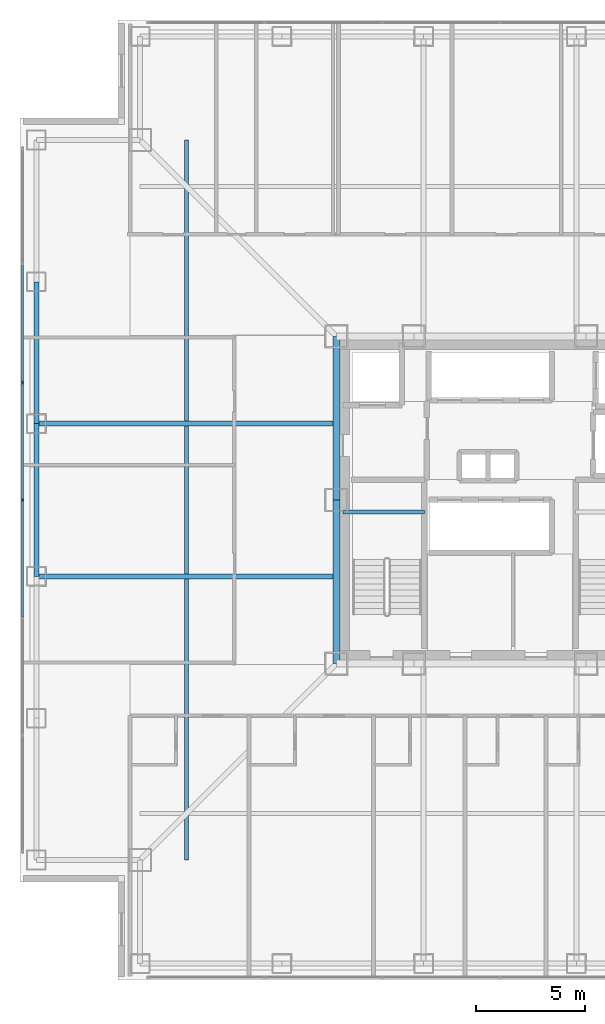
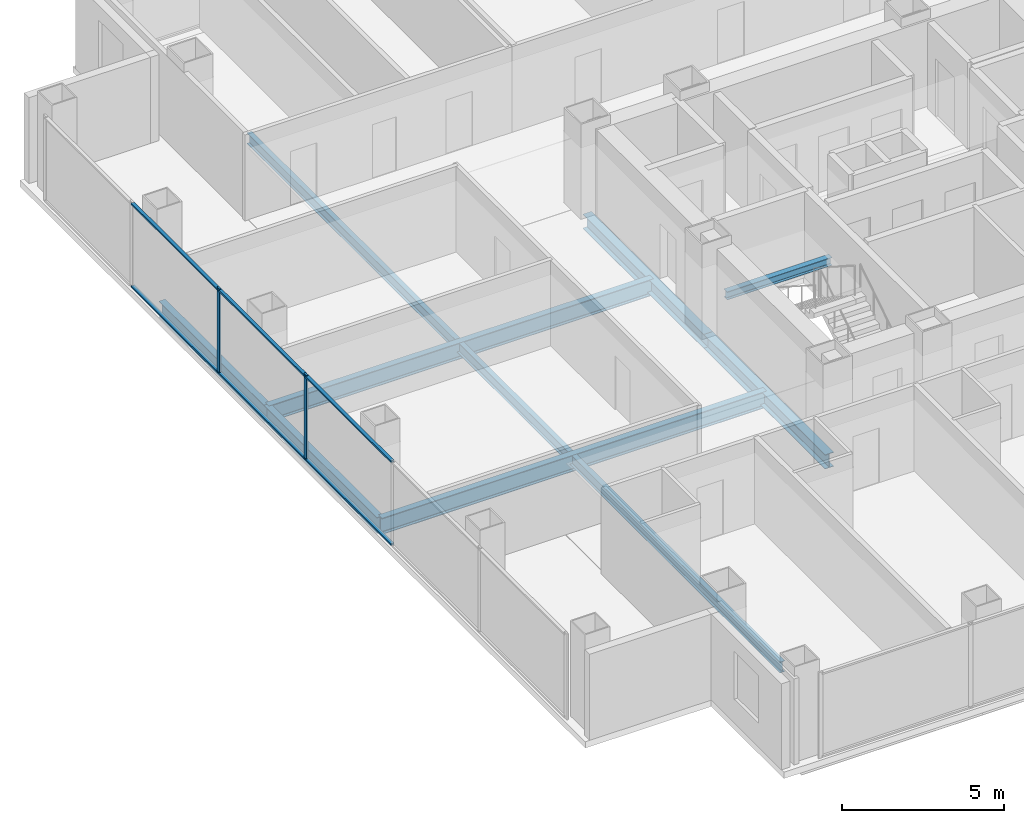
# One storey, part 5 of 18: 8 beams, 8 members, 1 element without a shape of its own.
"""IFC4 building model written with IfcOpenShell, lengths in metres."""

import ifcopenshell
import ifcopenshell.guid

model = None  # the IFC model being written
_history = None  # IfcOwnerHistory: only IFC2X3 demands one
_inside = {}  # id of a spatial element -> (the spatial element, [elements in it])
_under = {}  # id of a project, library or spatial element -> (it, [spatial elements below it])
_declared = {}  # id of a project -> (the project, [libraries it declares])
_typed = {}  # id of a type object -> (the type object, [elements of that type])
_made_of = {}  # id of a material, layer set ... -> (it, [elements and type objects made of it])


def new_model(schema):
    """Start an empty IFC model of exactly this schema.

    Asked for "IFC4X3", IfcOpenShell would pick the latest addendum, in which some entities
    have other attributes; the version numbers below select the first issue.
    IFC2X3 requires an IfcOwnerHistory on every rooted entity: one is made here for all.
    """
    global model, _history
    if schema == "IFC4X3":
        model = ifcopenshell.file(schema_version=(4, 3, 0, 0))
    else:
        model = ifcopenshell.file(schema=schema)
    _inside.clear()
    _under.clear()
    _declared.clear()
    _typed.clear()
    _made_of.clear()
    _history = None
    if model.schema == "IFC2X3":
        org = make("IfcOrganization", Name="unknown")
        user = make(
            "IfcPersonAndOrganization",
            ThePerson=make("IfcPerson", FamilyName="unknown"),
            TheOrganization=org,
        )
        app = make(
            "IfcApplication",
            ApplicationDeveloper=org,
            Version="unknown",
            ApplicationFullName="unknown",
            ApplicationIdentifier="unknown",
        )
        _history = make(
            "IfcOwnerHistory",
            OwningUser=user,
            OwningApplication=app,
            ChangeAction="ADDED",
            CreationDate=0,
        )
    return model


def make(cls, **values):
    """One entity of the class cls with the attributes given. An attribute that is None is left unset."""
    return model.create_entity(
        cls, **{name: value for name, value in values.items() if value is not None}
    )


def rooted(cls, **values):
    """An entity with a GlobalId (a new one), such as an element, a storey or a relation."""
    return make(cls, GlobalId=ifcopenshell.guid.new(), OwnerHistory=_history, **values)


def si_unit(unit_type, name, prefix=None):
    """IfcSIUnit, for example si_unit("LENGTHUNIT", "METRE", prefix="MILLI")."""
    return make("IfcSIUnit", UnitType=unit_type, Prefix=prefix, Name=name)


def assignment(units):
    """IfcUnitAssignment: the units of a project."""
    return None if units is None else make("IfcUnitAssignment", Units=units)


def point(xyz):
    """IfcCartesianPoint."""
    return None if xyz is None else make("IfcCartesianPoint", Coordinates=xyz)


def direction(xyz):
    """IfcDirection."""
    return None if xyz is None else make("IfcDirection", DirectionRatios=xyz)


def frame(location, z_axis=None, x_axis=None):
    """IfcAxis2Placement3D, a coordinate frame: its origin and axes. An axis left out is left unset."""
    return make(
        "IfcAxis2Placement3D",
        Location=point(location),
        Axis=direction(z_axis),
        RefDirection=direction(x_axis),
    )


def frame_2d(location, x_axis=None):
    """IfcAxis2Placement2D, a coordinate frame in the plane: its origin and x axis."""
    return make(
        "IfcAxis2Placement2D", Location=point(location), RefDirection=direction(x_axis)
    )


def origin():
    """The frame at (0, 0, 0) with its axes left unset."""
    return frame((0.0, 0.0, 0.0))


def origin_2d():
    """The frame at (0, 0) in the plane with its x axis left unset."""
    return frame_2d((0.0, 0.0))


def place(relative_to, where):
    """IfcLocalPlacement: puts the frame where relative to a parent placement (None: the world)."""
    return make(
        "IfcLocalPlacement", PlacementRelTo=relative_to, RelativePlacement=where
    )


def context(
    kind, dimensions, precision=None, world=None, true_north=None, identifier=None
):
    """IfcGeometricRepresentationContext, for example the 3D "Model" context."""
    return make(
        "IfcGeometricRepresentationContext",
        ContextIdentifier=identifier,
        ContextType=kind,
        CoordinateSpaceDimension=dimensions,
        Precision=precision,
        WorldCoordinateSystem=world,
        TrueNorth=true_north,
    )


def subcontext(parent, identifier, kind, view, scale=None):
    """IfcGeometricRepresentationSubContext, for example "Body" below "Model"."""
    return make(
        "IfcGeometricRepresentationSubContext",
        ContextIdentifier=identifier,
        ContextType=kind,
        ParentContext=parent,
        TargetScale=scale,
        TargetView=view,
    )


def project(units=None, contexts=None):
    """IfcProject with its units and contexts."""
    return rooted(
        "IfcProject",
        Name="project",
        RepresentationContexts=contexts,
        UnitsInContext=assignment(units),
    )


def spatial(cls, under=None, at=None, **own):
    """A site, building, storey or space (cls), placed at a placement, below another one or the project."""
    s = rooted(cls, ObjectPlacement=at, **own)
    if under is not None:
        _under.setdefault(under.id(), (under, []))[1].append(s)
    return s


def profile(cls, at=None, kind="AREA", **sizes):
    """A parametric profile (cls). Its sizes go by their IFC names, for example OverallWidth=200.0."""
    return make(cls, ProfileType=kind, Position=at, **sizes)


def rectangle(**sizes):
    """IfcRectangleProfileDef."""
    return profile("IfcRectangleProfileDef", **sizes)


def i_section(**sizes):
    """IfcIShapeProfileDef."""
    return profile("IfcIShapeProfileDef", **sizes)


def extrude(swept, where, along, depth):
    """IfcExtrudedAreaSolid: the profile swept, set in the frame where, extruded along a direction by depth."""
    return make(
        "IfcExtrudedAreaSolid",
        SweptArea=swept,
        Position=where,
        ExtrudedDirection=direction(along),
        Depth=depth,
    )


def shape(context_of_items, identifier, shape_type, items):
    """IfcShapeRepresentation: the items that make up one representation, for example the "Body"."""
    return make(
        "IfcShapeRepresentation",
        ContextOfItems=context_of_items,
        RepresentationIdentifier=identifier,
        RepresentationType=shape_type,
        Items=items,
    )


def material(Name=None, Category=None):
    """IfcMaterial."""
    return make("IfcMaterial", Name=Name, Category=Category)


def layer(
    of_material, thickness, ventilated=None, Name=None, Category=None, Priority=None
):
    """IfcMaterialLayer: one layer of a wall or slab, of a material (None: an air gap)."""
    return make(
        "IfcMaterialLayer",
        Material=of_material,
        LayerThickness=thickness,
        IsVentilated=ventilated,
        Name=Name,
        Category=Category,
        Priority=Priority,
    )


def layer_set(layers, Name=None):
    """IfcMaterialLayerSet."""
    return make("IfcMaterialLayerSet", MaterialLayers=layers, LayerSetName=Name)


def material_profile(
    of_material, cross_section, Name=None, Category=None, Priority=None
):
    """IfcMaterialProfile: a cross section and its material."""
    return make(
        "IfcMaterialProfile",
        Name=Name,
        Material=of_material,
        Profile=cross_section,
        Priority=Priority,
        Category=Category,
    )


def profile_set(profiles, Name=None, composite=None):
    """IfcMaterialProfileSet."""
    return make(
        "IfcMaterialProfileSet",
        Name=Name,
        MaterialProfiles=profiles,
        CompositeProfile=composite,
    )


def made_of(thing, what):
    """Note that an element or type object is made of a material, layer set ...; save() writes the relation."""
    if what is not None:
        _made_of.setdefault(what.id(), (what, []))[1].append(thing)
    return thing


def type_object(cls, material=None, **own):
    """A type object (cls), such as IfcWallType, which elements share."""
    return made_of(rooted(cls, **own), material)


def element(
    cls,
    number,
    at=None,
    inside=None,
    cuts=None,
    type_object=None,
    material=None,
    context=None,
    identifier="Body",
    shape_type=None,
    held_by="IfcProductDefinitionShape",
    body=None,
    shapes=None,
    **own,
):
    """One element of the class cls, such as IfcWall. Its Tag is "e" and its number.

    at: its placement. inside: the storey or other place that contains it. cuts: it is an
    opening in that element (IfcRelVoidsElement). A single representation is given by context,
    identifier, shape_type and body (its items); several are given by shapes. held_by: the class
    of the entity that holds the representations. save() writes the other relations.
    """
    e = rooted(cls, Tag="e%d" % number, ObjectPlacement=at, **own)
    if body is not None:
        shapes = [shape(context, identifier, shape_type, body)]
    if shapes is not None:
        e.Representation = make(held_by, Representations=shapes)
    if inside is not None:
        _inside.setdefault(inside.id(), (inside, []))[1].append(e)
    if cuts is not None:
        rooted(
            "IfcRelVoidsElement", RelatingBuildingElement=cuts, RelatedOpeningElement=e
        )
    if type_object is not None:
        _typed.setdefault(type_object.id(), (type_object, []))[1].append(e)
    return made_of(e, material)


def aggregate(whole, parts):
    """IfcRelAggregates: a whole, such as a stair, and the parts it consists of."""
    return rooted("IfcRelAggregates", RelatingObject=whole, RelatedObjects=parts)


def save(model, path):
    """Write the relations noted so far, then the file.

    IfcRelAggregates (storeys below a building ...), IfcRelContainedInSpatialStructure (elements
    in a storey), IfcRelDefinesByType, IfcRelAssociatesMaterial and IfcRelDeclares: one each for
    every whole, place, type object, material and project.
    """
    for whole, parts in _under.values():
        aggregate(whole, parts)
    for where, things in _inside.values():
        rooted(
            "IfcRelContainedInSpatialStructure",
            RelatedElements=things,
            RelatingStructure=where,
        )
    for kind, things in _typed.values():
        rooted("IfcRelDefinesByType", RelatedObjects=things, RelatingType=kind)
    for what, things in _made_of.values():
        rooted("IfcRelAssociatesMaterial", RelatedObjects=things, RelatingMaterial=what)
    for by, libraries in _declared.values():
        rooted("IfcRelDeclares", RelatingContext=by, RelatedDefinitions=libraries)
    model.write(path)


model = new_model("IFC4")

# Units and contexts
model_context = context("Model", 3, precision=1e-05, world=origin(), true_north=direction((0.0, 1.0)))
body_context = subcontext(model_context, "Body", "Model", "MODEL_VIEW")
ifc_project = project(units=[si_unit("LENGTHUNIT", "METRE"), si_unit("AREAUNIT", "SQUARE_METRE"), si_unit("VOLUMEUNIT", "CUBIC_METRE"), si_unit("PLANEANGLEUNIT", "RADIAN"), si_unit("MASSUNIT", "GRAM", prefix="KILO")], contexts=[model_context])

# Site, building, storey
site_placement = place(None, origin())
site = spatial("IfcSite", under=ifc_project, at=site_placement, CompositionType="ELEMENT")
building_placement = place(site_placement, origin())
building = spatial("IfcBuilding", under=site, at=building_placement, Name="Trevonay Congress Spire", CompositionType="ELEMENT")
storey_placement = place(building_placement, frame((0.0, 0.0, 151.60009765625)))
storey = spatial("IfcBuildingStorey", under=building, at=storey_placement, Name="L39", CompositionType="ELEMENT", Elevation=151.60009765625)

# Beams
ifc_material_1 = material(Name="Steel ASTM A572 Grade 50", Category="steel")
ifc_material_profile_1 = material_profile(ifc_material_1, i_section(OverallWidth=0.31201171875, OverallDepth=0.54296875, WebThickness=0.0126953125, FlangeThickness=0.020263671875, FilletRadius=0.014892578125, at=origin_2d()), Name="W530x150")
ifc_profile_set_1 = profile_set([ifc_material_profile_1], Name="Steel ASTM A572 Grade 50")
beam_type_1 = type_object("IfcBeamType", Name="BM-GIRD-W530X150", PredefinedType="BEAM", material=ifc_profile_set_1)
for number, where, z_axis, x_axis, name in (
    (1, (-7.5, -7.5, -0.51171875), (0.0, 1.0, 0.0), (-1.0, 0.0, 0.0), "L39 structural beam BM-L39-CR-W1"),
    (2, (-7.5, 0.0, -0.51171875), (0.0, 1.0, 0.0), (-1.0, 0.0, 0.0), "L39 structural beam BM-L39-CR-W2"),
):
    element("IfcBeam", number, at=place(storey_placement, frame(where, z_axis=z_axis, x_axis=x_axis)), inside=storey, type_object=beam_type_1, Name=name, PredefinedType="BEAM", context=body_context, shape_type="SweptSolid", body=[
        extrude(i_section(OverallWidth=0.31201171875, OverallDepth=0.54296875, WebThickness=0.0126953125, FlangeThickness=0.020263671875, FilletRadius=0.014892578125, at=origin_2d()), origin(), (0.0, 0.0, 1.0), 7.5),
    ])
ifc_material_profile_2 = material_profile(ifc_material_1, i_section(OverallWidth=0.22998046875, OverallDepth=0.616943359375, WebThickness=0.01318359375, FlangeThickness=0.022216796875, FilletRadius=0.01611328125, at=origin_2d()), Name="W610x140")
ifc_profile_set_2 = profile_set([ifc_material_profile_2], Name="Steel ASTM A572 Grade 50")
beam_type_2 = type_object("IfcBeamType", Name="BM-GIRD-W610X140", PredefinedType="BEAM", material=ifc_profile_set_2)
for number, where, z_axis, x_axis, name in (
    (3, (-7.5, -3.5, -0.548583984375), (-1.0, 0.0, 0.0), (0.0, -1.0, 0.0), "L39 structural beam BM-L39-GW-M"),
    (4, (-7.5, 3.5, -0.548583984375), (-1.0, 0.0, 0.0), (0.0, -1.0, 0.0), "L39 structural beam BM-L39-GW-P"),
):
    element("IfcBeam", number, at=place(storey_placement, frame(where, z_axis=z_axis, x_axis=x_axis)), inside=storey, type_object=beam_type_2, Name=name, PredefinedType="BEAM", context=body_context, shape_type="SweptSolid", body=[
        extrude(i_section(OverallWidth=0.22998046875, OverallDepth=0.616943359375, WebThickness=0.01318359375, FlangeThickness=0.022216796875, FilletRadius=0.01611328125, at=origin_2d()), origin(), (0.0, 0.0, 1.0), 13.75),
    ])
ifc_material_profile_3 = material_profile(ifc_material_1, i_section(OverallWidth=0.22802734375, OverallDepth=0.60791015625, WebThickness=0.01123046875, FlangeThickness=0.017333984375, FilletRadius=0.01611328125, at=origin_2d()), Name="W610x113")
ifc_profile_set_3 = profile_set([ifc_material_profile_3], Name="Steel ASTM A572 Grade 50")
beam_type_3 = type_object("IfcBeamType", Name="BM-RING-W610X113", PredefinedType="BEAM", material=ifc_profile_set_3)
beam_1_placement = place(storey_placement, frame((-21.25, -3.5, -0.544189453125), z_axis=(0.0, 1.0, 0.0), x_axis=(-1.0, 0.0, 0.0)))
element("IfcBeam", 5, at=beam_1_placement, inside=storey, type_object=beam_type_3, Name="L39 structural beam BM-L39-PW3", PredefinedType="BEAM", context=body_context, shape_type="SweptSolid", body=[
    extrude(i_section(OverallWidth=0.22802734375, OverallDepth=0.60791015625, WebThickness=0.01123046875, FlangeThickness=0.017333984375, FilletRadius=0.01611328125, at=origin_2d()), origin(), (0.0, 0.0, 1.0), 7.0),
])
beam_2_placement = place(storey_placement, frame((-21.25, 3.5, -0.544189453125), z_axis=(0.0, 1.0, 0.0), x_axis=(-1.0, 0.0, 0.0)))
element("IfcBeam", 6, at=beam_2_placement, inside=storey, type_object=beam_type_3, Name="L39 structural beam BM-L39-PW4", PredefinedType="BEAM", context=body_context, shape_type="SweptSolid", body=[
    extrude(i_section(OverallWidth=0.22802734375, OverallDepth=0.60791015625, WebThickness=0.01123046875, FlangeThickness=0.017333984375, FilletRadius=0.01611328125, at=origin_2d()), origin(), (0.0, 0.0, 1.0), 6.5),
])

# Curtain wall, members
ifc_material_2 = material(Name="Pale Anodised Aluminium EN AW-6063-T6", Category="aluminium")
ifc_layer = layer(ifc_material_2, 0.175048828125, Name="Pale Anodised Aluminium EN AW-6063-T6")
ifc_layer_set = layer_set([ifc_layer], Name="Pale Anodised Aluminium EN AW-6063-T6")
curtain_wall_type = type_object("IfcCurtainWallType", Name="CW-SYS03-CONGRESS-PALE-METAL", PredefinedType="NOTDEFINED", material=ifc_layer_set)
curtain_wall_placement = place(storey_placement, origin())
curtain_wall = element("IfcCurtainWall", 7, at=curtain_wall_placement, inside=storey, type_object=curtain_wall_type, Name="L39 W unitised curtain wall", PredefinedType="NOTDEFINED")
ifc_material_profile_4 = material_profile(ifc_material_2, rectangle(XDim=0.06005859375, YDim=0.159912109375, at=origin_2d()), Name="CW-MULLION-160-ALUMINIUM")
ifc_profile_set_4 = profile_set([ifc_material_profile_4], Name="Pale Anodised Aluminium EN AW-6063-T6")
member_type_1 = type_object("IfcMemberType", Name="CW-MULLION-160-ALUMINIUM", PredefinedType="MULLION", material=ifc_profile_set_4)
member_1_placement = place(storey_placement, frame((-21.8798828125, 0.0, 0.0), z_axis=(0.0, 0.0, 1.0), x_axis=(-1.0, 0.0, 0.0)))
member_1 = element("IfcMember", 8, at=member_1_placement, type_object=member_type_1, Name="CW03 mullion 4", PredefinedType="MULLION", context=body_context, shape_type="SweptSolid", body=[
    extrude(rectangle(XDim=0.06005859375, YDim=0.159912109375, at=origin_2d()), origin(), (0.0, 0.0, 1.0), 3.25),
])
member_2_placement = place(storey_placement, frame((-21.8798828125, 5.38330078125, 0.0), z_axis=(0.0, 0.0, 1.0), x_axis=(-1.0, 0.0, 0.0)))
member_2 = element("IfcMember", 9, at=member_2_placement, type_object=member_type_1, Name="CW03 mullion 5", PredefinedType="MULLION", context=body_context, shape_type="SweptSolid", body=[
    extrude(rectangle(XDim=0.06005859375, YDim=0.159912109375, at=origin_2d()), origin(), (0.0, 0.0, 1.0), 3.25),
])
ifc_material_profile_5 = material_profile(ifc_material_2, rectangle(XDim=0.1201171875, YDim=0.06005859375, at=origin_2d()), Name="CW-TRANSOM-120-ALUMINIUM")
ifc_profile_set_5 = profile_set([ifc_material_profile_5], Name="Pale Anodised Aluminium EN AW-6063-T6")
member_type_2 = type_object("IfcMemberType", Name="CW-TRANSOM-120-ALUMINIUM", PredefinedType="USERDEFINED", material=ifc_profile_set_5)
member_3_placement = place(storey_placement, frame((-21.8798828125, -5.353271484375, 0.059814453125), z_axis=(0.0, 1.0, 0.0), x_axis=(-1.0, 0.0, 0.0)))
member_3 = element("IfcMember", 10, at=member_3_placement, type_object=member_type_2, Name="CW03 transom 3.1", ObjectType="TRANSOM", PredefinedType="USERDEFINED", context=body_context, shape_type="SweptSolid", body=[
    extrude(rectangle(XDim=0.1201171875, YDim=0.06005859375, at=origin_2d()), origin(), (0.0, 0.0, 1.0), 5.3232421875),
])
member_4_placement = place(storey_placement, frame((-21.8798828125, -5.353271484375, 3.18994140625), z_axis=(0.0, 1.0, 0.0), x_axis=(-1.0, 0.0, 0.0)))
member_4 = element("IfcMember", 11, at=member_4_placement, type_object=member_type_2, Name="CW03 transom 3.2", ObjectType="TRANSOM", PredefinedType="USERDEFINED", context=body_context, shape_type="SweptSolid", body=[
    extrude(rectangle(XDim=0.1201171875, YDim=0.06005859375, at=origin_2d()), origin(), (0.0, 0.0, 1.0), 5.3232421875),
])
member_5_placement = place(storey_placement, frame((-21.8798828125, 0.030029296875, 0.059814453125), z_axis=(0.0, 1.0, 0.0), x_axis=(-1.0, 0.0, 0.0)))
member_5 = element("IfcMember", 12, at=member_5_placement, type_object=member_type_2, Name="CW03 transom 4.1", ObjectType="TRANSOM", PredefinedType="USERDEFINED", context=body_context, shape_type="SweptSolid", body=[
    extrude(rectangle(XDim=0.1201171875, YDim=0.06005859375, at=origin_2d()), origin(), (0.0, 0.0, 1.0), 5.3232421875),
])
member_6_placement = place(storey_placement, frame((-21.8798828125, 0.030029296875, 3.18994140625), z_axis=(0.0, 1.0, 0.0), x_axis=(-1.0, 0.0, 0.0)))
member_6 = element("IfcMember", 13, at=member_6_placement, type_object=member_type_2, Name="CW03 transom 4.2", ObjectType="TRANSOM", PredefinedType="USERDEFINED", context=body_context, shape_type="SweptSolid", body=[
    extrude(rectangle(XDim=0.1201171875, YDim=0.06005859375, at=origin_2d()), origin(), (0.0, 0.0, 1.0), 5.3232421875),
])
member_7_placement = place(storey_placement, frame((-21.8798828125, 5.413330078125, 0.059814453125), z_axis=(0.0, 1.0, 0.0), x_axis=(-1.0, 0.0, 0.0)))
member_7 = element("IfcMember", 14, at=member_7_placement, type_object=member_type_2, Name="CW03 transom 5.1", ObjectType="TRANSOM", PredefinedType="USERDEFINED", context=body_context, shape_type="SweptSolid", body=[
    extrude(rectangle(XDim=0.1201171875, YDim=0.06005859375, at=origin_2d()), origin(), (0.0, 0.0, 1.0), 5.3232421875),
])
member_8_placement = place(storey_placement, frame((-21.8798828125, 5.413330078125, 3.18994140625), z_axis=(0.0, 1.0, 0.0), x_axis=(-1.0, 0.0, 0.0)))
member_8 = element("IfcMember", 15, at=member_8_placement, type_object=member_type_2, Name="CW03 transom 5.2", ObjectType="TRANSOM", PredefinedType="USERDEFINED", context=body_context, shape_type="SweptSolid", body=[
    extrude(rectangle(XDim=0.1201171875, YDim=0.06005859375, at=origin_2d()), origin(), (0.0, 0.0, 1.0), 5.3232421875),
])
aggregate(curtain_wall, [member_1, member_2, member_3, member_4, member_5, member_6, member_7, member_8])

# Beams
ifc_material_profile_6 = material_profile(ifc_material_1, i_section(OverallWidth=0.177978515625, OverallDepth=0.406982421875, WebThickness=0.0078125, FlangeThickness=0.0126953125, FilletRadius=0.012939453125, at=origin_2d()), Name="W410x60")
ifc_profile_set_6 = profile_set([ifc_material_profile_6], Name="Steel ASTM A572 Grade 50")
beam_type_4 = type_object("IfcBeamType", Name="JS-COMP-W410X60", PredefinedType="JOIST", material=ifc_profile_set_6)
beam_3_placement = place(storey_placement, frame((-14.375, -16.5, -0.443603515625), z_axis=(0.0, 1.0, 0.0), x_axis=(-1.0, 0.0, 0.0)))
element("IfcBeam", 16, at=beam_3_placement, inside=storey, type_object=beam_type_4, Name="L39 structural beam JS-L39-RING-W", PredefinedType="JOIST", context=body_context, shape_type="SweptSolid", body=[
    extrude(i_section(OverallWidth=0.177978515625, OverallDepth=0.406982421875, WebThickness=0.0078125, FlangeThickness=0.0126953125, FilletRadius=0.012939453125, at=origin_2d()), origin(), (0.0, 0.0, 1.0), 33.0),
])
ifc_material_profile_7 = material_profile(ifc_material_1, i_section(OverallWidth=0.2041015625, OverallDepth=0.305908203125, WebThickness=0.008544921875, FlangeThickness=0.0146484375, FilletRadius=0.010986328125, at=origin_2d()), Name="W310x67")
ifc_profile_set_7 = profile_set([ifc_material_profile_7], Name="Steel ASTM A572 Grade 50")
beam_type_5 = type_object("IfcBeamType", Name="LN-CORE-W310X67", PredefinedType="LINTEL", material=ifc_profile_set_7)
beam_4_placement = place(storey_placement, frame((-7.199951171875, -0.550048828125, 1.447021484375), z_axis=(1.0, 0.0, 0.0), x_axis=(0.0, 1.0, 0.0)))
element("IfcBeam", 17, at=beam_4_placement, inside=storey, type_object=beam_type_5, Name="L39 structural beam BM-L39-HL-ST1", PredefinedType="LINTEL", context=body_context, shape_type="SweptSolid", body=[
    extrude(i_section(OverallWidth=0.2041015625, OverallDepth=0.305908203125, WebThickness=0.008544921875, FlangeThickness=0.0146484375, FilletRadius=0.010986328125, at=origin_2d()), origin(), (0.0, 0.0, 1.0), 3.75),
])

save(model, "model.ifc")
